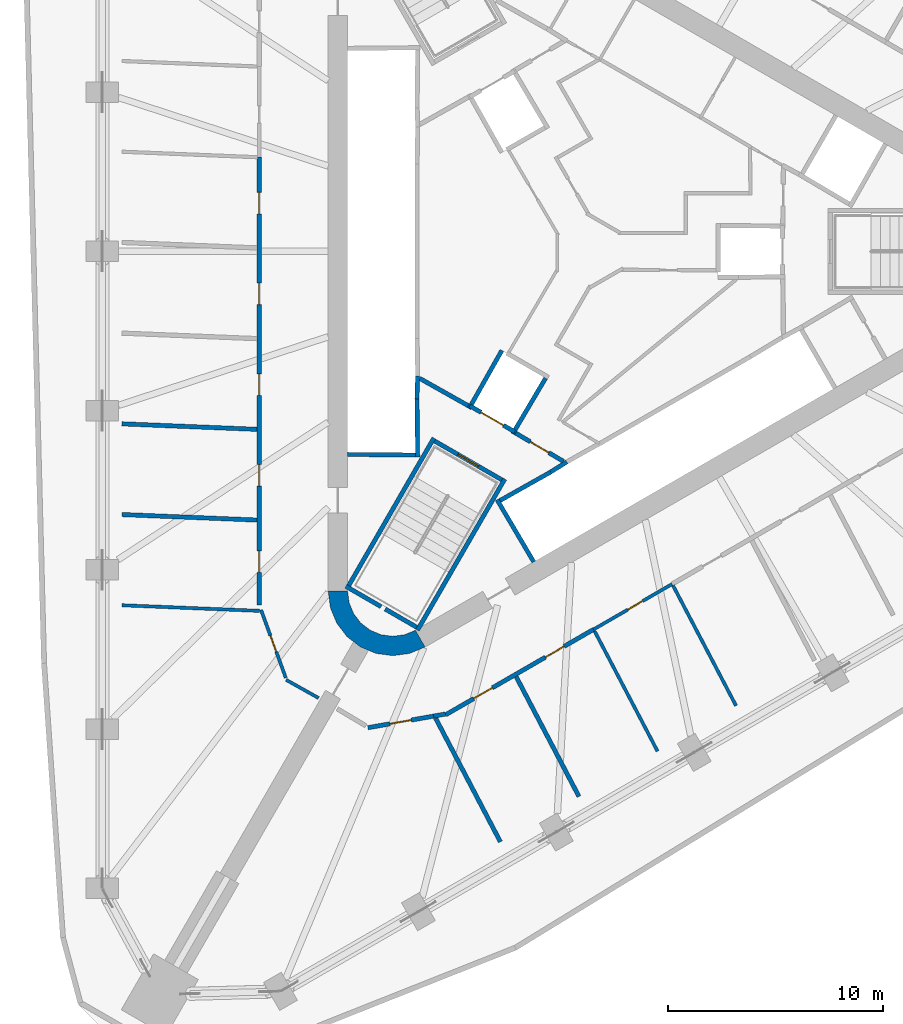
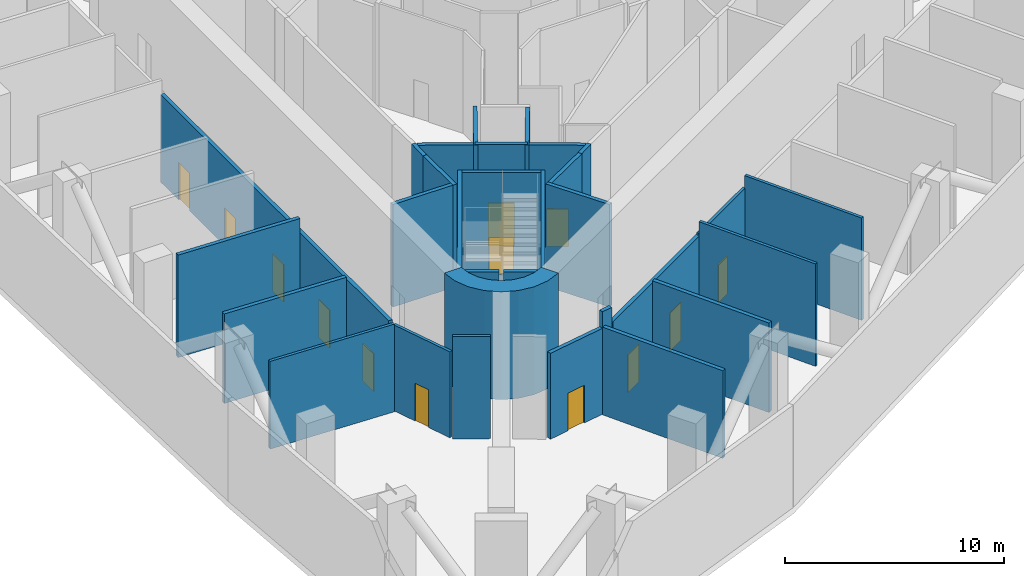
# One storey, part 3 of 13: 31 walls, 13 doors, 13 openings.
"""IFC4 building model written with IfcOpenShell, lengths in metres."""

from ifc_helpers import new_model, si_unit, direction, frame, frame_2d, origin, place, context, subcontext, project, spatial, polyline, rectangle, outline, extrude, material, layer, layer_set, type_object, element, fill, save


model = new_model("IFC4")

# Units and contexts
model_context = context("Model", 3, precision=1e-05, world=origin(), true_north=direction((0.0, 1.0)))
body_context = subcontext(model_context, "Body", "Model", "MODEL_VIEW")
ifc_project = project(units=[si_unit("LENGTHUNIT", "METRE"), si_unit("AREAUNIT", "SQUARE_METRE"), si_unit("VOLUMEUNIT", "CUBIC_METRE"), si_unit("PLANEANGLEUNIT", "RADIAN"), si_unit("MASSUNIT", "GRAM", prefix="KILO")], contexts=[model_context])

# Site, building, storey
site_placement = place(None, origin())
site = spatial("IfcSite", under=ifc_project, at=site_placement, CompositionType="ELEMENT")
building_placement = place(site_placement, origin())
building = spatial("IfcBuilding", under=site, at=building_placement, Name="Tanit Gate Tower", CompositionType="ELEMENT")
storey_placement = place(building_placement, frame((0.0, 0.0, 163.199951171875)))
storey = spatial("IfcBuildingStorey", under=building, at=storey_placement, Name="L35", CompositionType="ELEMENT", Elevation=163.199951171875)

# Walls
ifc_material_1 = material(Name="Concrete C60/75", Category="concrete")
ifc_layer_1 = layer(ifc_material_1, 0.89990234375)
ifc_layer_set_1 = layer_set([ifc_layer_1], Name="CORE WALL 900 C60/75")
wall_type_1 = type_object("IfcWallType", Name="CORE WALL 900 C60/75", PredefinedType="SHEAR", material=ifc_layer_set_1)
wall_1_placement = place(storey_placement, origin())
element("IfcWall", 1, at=wall_1_placement, inside=storey, type_object=wall_type_1, Name="CORE WALL CORNER", PredefinedType="SHEAR", context=body_context, shape_type="SweptSolid", body=[
    extrude(outline(polyline([(-12.10009765625, -15.76171875), (-11.997802734375, -16.5380859375), (-11.697998046875, -17.26171875), (-11.22119140625, -17.883056640625), (-10.60009765625, -18.359619140625), (-9.87646484375, -18.659423828125), (-9.10009765625, -18.76171875), (-8.323486328125, -18.659423828125), (-7.60009765625, -18.359619140625), (-8.050048828125, -17.580322265625), (-8.556396484375, -17.7900390625), (-9.10009765625, -17.86181640625), (-9.6435546875, -17.7900390625), (-10.14990234375, -17.580322265625), (-10.5849609375, -17.24658203125), (-10.918701171875, -16.811767578125), (-11.12841796875, -16.30517578125), (-11.199951171875, -15.76171875), (-12.10009765625, -15.76171875)])), origin(), (0.0, 0.0, 1.0), 6.0),
])
ifc_material_2 = material(Name="Fire-rated gypsum board partition")
ifc_layer_2 = layer(ifc_material_2, 0.199951171875)
ifc_layer_set_2 = layer_set([ifc_layer_2], Name="INT-WALL-COMPARTMENT")
wall_type_2 = type_object("IfcWallType", Name="INT-WALL-COMPARTMENT", PredefinedType="PARTITIONING", material=ifc_layer_set_2)
wall_2_placement = place(storey_placement, frame((-7.84912109375, -5.893798828125, 0.0), z_axis=(0.0, 0.0, 1.0), x_axis=(0.871340486379, -0.490678873396, 0.0)))
element("IfcWall", 2, at=wall_2_placement, inside=storey, type_object=wall_type_2, Name="Wall Compartment W070", PredefinedType="PARTITIONING", context=body_context, shape_type="SweptSolid", body=[
    extrude(rectangle(XDim=2.580810546875, YDim=0.199951171875, at=frame_2d((1.29052734375, 0.0))), origin(), (0.0, 0.0, 1.0), 5.699951171875),
])

# Wall, opening, door
wall_3_placement = place(storey_placement, frame((-3.400634765625, -8.43017578125, 0.0), z_axis=(0.0, 0.0, 1.0), x_axis=(0.860598681535, -0.509283721849, 0.0)))
wall_3 = element("IfcWall", 3, at=wall_3_placement, inside=storey, type_object=wall_type_2, Name="Wall Compartment W071", PredefinedType="PARTITIONING", context=body_context, shape_type="SweptSolid", body=[
    extrude(rectangle(XDim=2.5810546875, YDim=0.199951171875, at=frame_2d((1.29052734375, 0.0))), origin(), (0.0, 0.0, 1.0), 5.699951171875),
])
opening_1_placement = place(wall_3_placement, frame((0.79052734375, 0.0, 0.0)))
opening_1 = element("IfcOpeningElement", 4, at=opening_1_placement, cuts=wall_3, Name="Opening F10-35-08", PredefinedType="OPENING", context=body_context, shape_type="SweptSolid", body=[
    extrude(rectangle(XDim=1.0, YDim=2.10009765625, at=frame_2d((0.5, 1.050048828125))), frame((0.0, 0.10986328125, 0.0), z_axis=(0.0, -1.0, 0.0), x_axis=(1.0, 0.0, 0.0)), (0.0, 0.0, 1.0), 0.219970703125),
])
ifc_material_3 = material(Name="Fire-rated steel door leaf", Category="steel")
door_type_1 = type_object("IfcDoorType", Name="INT-DOOR-FIRE-1000", OperationType="NOTDEFINED", PredefinedType="USERDEFINED", material=ifc_material_3)
door_1_placement = place(opening_1_placement, origin())
door_1 = element("IfcDoor", 5, at=door_1_placement, inside=storey, type_object=door_type_1, Name="Door F10-35-08", ObjectType="FIRE DOOR", OperationType="SINGLE_SWING_RIGHT", OverallHeight=2.10009765625, OverallWidth=1.0, PredefinedType="USERDEFINED", context=body_context, shape_type="SweptSolid", body=[
    extrude(rectangle(XDim=1.0, YDim=2.10009765625, at=frame_2d((0.5, 1.050048828125))), frame((0.0, 0.02490234375, 0.0), z_axis=(0.0, -1.0, 0.0), x_axis=(1.0, 0.0, 0.0)), (0.0, 0.0, 1.0), 0.050048828125),
])
fill(opening_1, door_1)

# Wall, openings, doors
wall_4_placement = place(storey_placement, frame((-15.300048828125, 4.3759765625, 0.0), z_axis=(0.0, 0.0, 1.0), x_axis=(0.0, -1.0, 0.0)))
wall_4 = element("IfcWall", 6, at=wall_4_placement, inside=storey, type_object=wall_type_2, Name="Wall Compartment W097", PredefinedType="PARTITIONING", context=body_context, shape_type="SweptSolid", body=[
    extrude(rectangle(XDim=20.78125, YDim=0.199951171875, at=frame_2d((10.390625, 0.0))), origin(), (0.0, 0.0, 1.0), 4.880126953125),
])
opening_2_placement = place(wall_4_placement, frame((1.63623046875, 0.0, 0.0)))
opening_2 = element("IfcOpeningElement", 7, at=opening_2_placement, cuts=wall_4, Name="Opening F10-35-23", PredefinedType="OPENING", context=body_context, shape_type="SweptSolid", body=[
    extrude(rectangle(XDim=1.0, YDim=2.10009765625, at=frame_2d((0.5, 1.050048828125))), frame((0.0, 0.10986328125, 0.0), z_axis=(0.0, -1.0, 0.0), x_axis=(1.0, 0.0, 0.0)), (0.0, 0.0, 1.0), 0.219970703125),
])
opening_3_placement = place(wall_4_placement, frame((5.84619140625, 0.0, 0.0)))
opening_3 = element("IfcOpeningElement", 8, at=opening_3_placement, cuts=wall_4, Name="Opening F10-35-24", PredefinedType="OPENING", context=body_context, shape_type="SweptSolid", body=[
    extrude(rectangle(XDim=1.0, YDim=2.10009765625, at=frame_2d((0.5, 1.050048828125))), frame((0.0, 0.10986328125, 0.0), z_axis=(0.0, -1.0, 0.0), x_axis=(1.0, 0.0, 0.0)), (0.0, 0.0, 1.0), 0.219970703125),
])
opening_4_placement = place(wall_4_placement, frame((10.05615234375, 0.0, 0.0)))
opening_4 = element("IfcOpeningElement", 9, at=opening_4_placement, cuts=wall_4, Name="Opening F10-35-25", PredefinedType="OPENING", context=body_context, shape_type="SweptSolid", body=[
    extrude(rectangle(XDim=1.0, YDim=2.10009765625, at=frame_2d((0.5, 1.050048828125))), frame((0.0, 0.10986328125, 0.0), z_axis=(0.0, -1.0, 0.0), x_axis=(1.0, 0.0, 0.0)), (0.0, 0.0, 1.0), 0.219970703125),
])
opening_5_placement = place(wall_4_placement, frame((14.26611328125, 0.0, 0.0)))
opening_5 = element("IfcOpeningElement", 10, at=opening_5_placement, cuts=wall_4, Name="Opening F10-35-26", PredefinedType="OPENING", context=body_context, shape_type="SweptSolid", body=[
    extrude(rectangle(XDim=1.0, YDim=2.10009765625, at=frame_2d((0.5, 1.050048828125))), frame((0.0, 0.10986328125, 0.0), z_axis=(0.0, -1.0, 0.0), x_axis=(1.0, 0.0, 0.0)), (0.0, 0.0, 1.0), 0.219970703125),
])
opening_6_placement = place(wall_4_placement, frame((18.276123046875, 0.0, 0.0)))
opening_6 = element("IfcOpeningElement", 11, at=opening_6_placement, cuts=wall_4, Name="Opening F10-35-27", PredefinedType="OPENING", context=body_context, shape_type="SweptSolid", body=[
    extrude(rectangle(XDim=1.0, YDim=2.10009765625, at=frame_2d((0.5, 1.050048828125))), frame((0.0, 0.10986328125, 0.0), z_axis=(0.0, -1.0, 0.0), x_axis=(1.0, 0.0, 0.0)), (0.0, 0.0, 1.0), 0.219970703125),
])
door_2_placement = place(opening_2_placement, origin())
door_2 = element("IfcDoor", 12, at=door_2_placement, inside=storey, type_object=door_type_1, Name="Door F10-35-23", ObjectType="FIRE DOOR", OperationType="SINGLE_SWING_RIGHT", OverallHeight=2.10009765625, OverallWidth=1.0, PredefinedType="USERDEFINED", context=body_context, shape_type="SweptSolid", body=[
    extrude(rectangle(XDim=1.0, YDim=2.10009765625, at=frame_2d((0.5, 1.050048828125))), frame((0.0, 0.02490234375, 0.0), z_axis=(0.0, -1.0, 0.0), x_axis=(1.0, 0.0, 0.0)), (0.0, 0.0, 1.0), 0.050048828125),
])
fill(opening_2, door_2)
door_3_placement = place(opening_3_placement, origin())
door_3 = element("IfcDoor", 13, at=door_3_placement, inside=storey, type_object=door_type_1, Name="Door F10-35-24", ObjectType="FIRE DOOR", OperationType="SINGLE_SWING_LEFT", OverallHeight=2.10009765625, OverallWidth=1.0, PredefinedType="USERDEFINED", context=body_context, shape_type="SweptSolid", body=[
    extrude(rectangle(XDim=1.0, YDim=2.10009765625, at=frame_2d((0.5, 1.050048828125))), frame((0.0, 0.02490234375, 0.0), z_axis=(0.0, -1.0, 0.0), x_axis=(1.0, 0.0, 0.0)), (0.0, 0.0, 1.0), 0.050048828125),
])
fill(opening_3, door_3)
door_4_placement = place(opening_4_placement, origin())
door_4 = element("IfcDoor", 14, at=door_4_placement, inside=storey, type_object=door_type_1, Name="Door F10-35-25", ObjectType="FIRE DOOR", OperationType="SINGLE_SWING_LEFT", OverallHeight=2.10009765625, OverallWidth=1.0, PredefinedType="USERDEFINED", context=body_context, shape_type="SweptSolid", body=[
    extrude(rectangle(XDim=1.0, YDim=2.10009765625, at=frame_2d((0.5, 1.050048828125))), frame((0.0, 0.02490234375, 0.0), z_axis=(0.0, -1.0, 0.0), x_axis=(1.0, 0.0, 0.0)), (0.0, 0.0, 1.0), 0.050048828125),
])
fill(opening_4, door_4)
door_5_placement = place(opening_5_placement, origin())
door_5 = element("IfcDoor", 15, at=door_5_placement, inside=storey, type_object=door_type_1, Name="Door F10-35-26", ObjectType="FIRE DOOR", OperationType="SINGLE_SWING_LEFT", OverallHeight=2.10009765625, OverallWidth=1.0, PredefinedType="USERDEFINED", context=body_context, shape_type="SweptSolid", body=[
    extrude(rectangle(XDim=1.0, YDim=2.10009765625, at=frame_2d((0.5, 1.050048828125))), frame((0.0, 0.02490234375, 0.0), z_axis=(0.0, -1.0, 0.0), x_axis=(1.0, 0.0, 0.0)), (0.0, 0.0, 1.0), 0.050048828125),
])
fill(opening_5, door_5)
door_6_placement = place(opening_6_placement, origin())
door_6 = element("IfcDoor", 16, at=door_6_placement, inside=storey, type_object=door_type_1, Name="Door F10-35-27", ObjectType="FIRE DOOR", OperationType="SINGLE_SWING_LEFT", OverallHeight=2.10009765625, OverallWidth=1.0, PredefinedType="USERDEFINED", context=body_context, shape_type="SweptSolid", body=[
    extrude(rectangle(XDim=1.0, YDim=2.10009765625, at=frame_2d((0.5, 1.050048828125))), frame((0.0, 0.02490234375, 0.0), z_axis=(0.0, -1.0, 0.0), x_axis=(1.0, 0.0, 0.0)), (0.0, 0.0, 1.0), 0.050048828125),
])
fill(opening_6, door_6)

# Walls
wall_5_placement = place(storey_placement, frame((-21.677490234375, -8.00146484375, 0.0), z_axis=(0.0, 0.0, 1.0), x_axis=(0.999168860774, -0.04076257671, 0.0)))
element("IfcWall", 17, at=wall_5_placement, inside=storey, type_object=wall_type_2, Name="Wall Compartment W110", PredefinedType="PARTITIONING", context=body_context, shape_type="SweptSolid", body=[
    extrude(rectangle(XDim=6.28271484375, YDim=0.199951171875, at=frame_2d((3.141357421875, 0.0))), origin(), (0.0, 0.0, 1.0), 5.699951171875),
])
wall_6_placement = place(storey_placement, frame((-15.39990234375, -12.467529296875, 0.0), z_axis=(0.0, 0.0, 1.0), x_axis=(-0.999168860774, 0.04076257671, 0.0)))
element("IfcWall", 18, at=wall_6_placement, inside=storey, type_object=wall_type_2, Name="Wall Compartment W111", PredefinedType="PARTITIONING", context=body_context, shape_type="SweptSolid", body=[
    extrude(rectangle(XDim=6.28271484375, YDim=0.199951171875, at=frame_2d((3.141357421875, 0.0))), origin(), (0.0, 0.0, 1.0), 4.97998046875),
])

# Wall, opening, door
wall_7_placement = place(storey_placement, frame((-10.25390625, -22.104736328125, 0.0), z_axis=(0.0, 0.0, 1.0), x_axis=(0.984804988172, 0.173663857128, 0.0)))
wall_7 = element("IfcWall", 19, at=wall_7_placement, inside=storey, type_object=wall_type_2, Name="Wall Compartment W128", PredefinedType="PARTITIONING", context=body_context, shape_type="SweptSolid", body=[
    extrude(rectangle(XDim=3.095703125, YDim=0.199951171875, at=frame_2d((1.5478515625, 0.0))), origin(), (0.0, 0.0, 1.0), 4.780029296875),
])
opening_7_placement = place(wall_7_placement, frame((1.037109375, 0.0, 0.0)))
opening_7 = element("IfcOpeningElement", 20, at=opening_7_placement, cuts=wall_7, Name="Opening F10-35-35", PredefinedType="OPENING", context=body_context, shape_type="SweptSolid", body=[
    extrude(rectangle(XDim=1.0, YDim=2.10009765625, at=frame_2d((0.5, 1.050048828125))), frame((0.0, 0.10986328125, 0.0), z_axis=(0.0, -1.0, 0.0), x_axis=(1.0, 0.0, 0.0)), (0.0, 0.0, 1.0), 0.219970703125),
])
door_7_placement = place(opening_7_placement, origin())
door_7 = element("IfcDoor", 21, at=door_7_placement, inside=storey, type_object=door_type_1, Name="Door F10-35-35", ObjectType="FIRE DOOR", OperationType="SINGLE_SWING_LEFT", OverallHeight=2.10009765625, OverallWidth=1.0, PredefinedType="USERDEFINED", context=body_context, shape_type="SweptSolid", body=[
    extrude(rectangle(XDim=1.0, YDim=2.10009765625, at=frame_2d((0.5, 1.050048828125))), frame((0.0, 0.02490234375, 0.0), z_axis=(0.0, -1.0, 0.0), x_axis=(1.0, 0.0, 0.0)), (0.0, 0.0, 1.0), 0.050048828125),
])
fill(opening_7, door_7)

# Wall
wall_8_placement = place(storey_placement, frame((-7.205322265625, -21.567138671875, 0.0), z_axis=(0.0, 0.0, 1.0), x_axis=(0.984801171005, 0.17368550195, 0.0)))
element("IfcWall", 22, at=wall_8_placement, inside=storey, type_object=wall_type_2, Name="Wall Compartment W131", PredefinedType="PARTITIONING", context=body_context, shape_type="SweptSolid", body=[
    extrude(rectangle(XDim=0.55810546875, YDim=0.199951171875, at=frame_2d((0.279052734375, 0.0))), origin(), (0.0, 0.0, 1.0), 5.699951171875),
])

# Wall, openings, doors
wall_9_placement = place(storey_placement, frame((-6.64404296875, -21.5029296875, 0.0), z_axis=(0.0, 0.0, 1.0), x_axis=(0.866024386084, 0.500001762705, 0.0)))
wall_9 = element("IfcWall", 23, at=wall_9_placement, inside=storey, type_object=wall_type_2, Name="Wall Compartment W130", PredefinedType="PARTITIONING", context=body_context, shape_type="SweptSolid", body=[
    extrude(rectangle(XDim=7.91943359375, YDim=0.199951171875, at=frame_2d((3.959716796875, 0.0))), origin(), (0.0, 0.0, 1.0), 4.880126953125),
])
opening_8_placement = place(wall_9_placement, frame((1.5, 0.0, 0.0)))
opening_8 = element("IfcOpeningElement", 24, at=opening_8_placement, cuts=wall_9, Name="Opening F10-35-36", PredefinedType="OPENING", context=body_context, shape_type="SweptSolid", body=[
    extrude(rectangle(XDim=1.0, YDim=2.10009765625, at=frame_2d((0.5, 1.050048828125))), frame((0.0, 0.10986328125, 0.0), z_axis=(0.0, -1.0, 0.0), x_axis=(1.0, 0.0, 0.0)), (0.0, 0.0, 1.0), 0.219970703125),
])
opening_9_placement = place(wall_9_placement, frame((5.345703125, 0.0, 0.0)))
opening_9 = element("IfcOpeningElement", 25, at=opening_9_placement, cuts=wall_9, Name="Opening F10-35-37", PredefinedType="OPENING", context=body_context, shape_type="SweptSolid", body=[
    extrude(rectangle(XDim=1.0, YDim=2.10009765625, at=frame_2d((0.5, 1.050048828125))), frame((0.0, 0.10986328125, 0.0), z_axis=(0.0, -1.0, 0.0), x_axis=(1.0, 0.0, 0.0)), (0.0, 0.0, 1.0), 0.219970703125),
])
door_8_placement = place(opening_8_placement, origin())
door_8 = element("IfcDoor", 26, at=door_8_placement, inside=storey, type_object=door_type_1, Name="Door F10-35-36", ObjectType="FIRE DOOR", OperationType="SINGLE_SWING_RIGHT", OverallHeight=2.10009765625, OverallWidth=1.0, PredefinedType="USERDEFINED", context=body_context, shape_type="SweptSolid", body=[
    extrude(rectangle(XDim=1.0, YDim=2.10009765625, at=frame_2d((0.5, 1.050048828125))), frame((0.0, 0.02490234375, 0.0), z_axis=(0.0, -1.0, 0.0), x_axis=(1.0, 0.0, 0.0)), (0.0, 0.0, 1.0), 0.050048828125),
])
fill(opening_8, door_8)
door_9_placement = place(opening_9_placement, origin())
door_9 = element("IfcDoor", 27, at=door_9_placement, inside=storey, type_object=door_type_1, Name="Door F10-35-37", ObjectType="FIRE DOOR", OperationType="SINGLE_SWING_RIGHT", OverallHeight=2.10009765625, OverallWidth=1.0, PredefinedType="USERDEFINED", context=body_context, shape_type="SweptSolid", body=[
    extrude(rectangle(XDim=1.0, YDim=2.10009765625, at=frame_2d((0.5, 1.050048828125))), frame((0.0, 0.02490234375, 0.0), z_axis=(0.0, -1.0, 0.0), x_axis=(1.0, 0.0, 0.0)), (0.0, 0.0, 1.0), 0.050048828125),
])
fill(opening_9, door_9)

# Walls
wall_10_placement = place(storey_placement, frame((-4.107421875, -27.40234375, 0.0), z_axis=(0.0, 0.0, 1.0), x_axis=(-0.464120846415, 0.885771889328, 0.0)))
element("IfcWall", 28, at=wall_10_placement, inside=storey, type_object=wall_type_2, Name="Wall Compartment W141", PredefinedType="PARTITIONING", context=body_context, shape_type="SweptSolid", body=[
    extrude(rectangle(XDim=6.490234375, YDim=0.199951171875, at=frame_2d((3.2451171875, 0.0))), origin(), (0.0, 0.0, 1.0), 4.880126953125),
])
wall_11_placement = place(storey_placement, frame((-0.46142578125, -25.29736328125, 0.0), z_axis=(0.0, 0.0, 1.0), x_axis=(-0.464291570552, 0.885682413461, 0.0)))
element("IfcWall", 29, at=wall_11_placement, inside=storey, type_object=wall_type_2, Name="Wall Compartment W142", PredefinedType="PARTITIONING", context=body_context, shape_type="SweptSolid", body=[
    extrude(rectangle(XDim=6.28271484375, YDim=0.199951171875, at=frame_2d((3.141357421875, 0.0))), origin(), (0.0, 0.0, 1.0), 4.97998046875),
])
ifc_material_4 = material(Name="Fire-rated gypsum board partition")
ifc_layer_3 = layer(ifc_material_4, 0.14990234375)
ifc_layer_set_3 = layer_set([ifc_layer_3], Name="INT-WALL-RISER")
wall_type_3 = type_object("IfcWallType", Name="INT-WALL-RISER", PredefinedType="PLUMBINGWALL", material=ifc_layer_set_3)
wall_12_placement = place(storey_placement, frame((-14.05322265625, -19.8837890625, 0.0), z_axis=(0.0, 0.0, 1.0), x_axis=(0.872734691985, -0.48819479453, 0.0)))
element("IfcWall", 30, at=wall_12_placement, inside=storey, type_object=wall_type_3, Name="Wall Riser W102", PredefinedType="PLUMBINGWALL", context=body_context, shape_type="SweptSolid", body=[
    extrude(rectangle(XDim=1.728759765625, YDim=0.14990234375, at=frame_2d((0.8642578125, 0.0))), origin(), (0.0, 0.0, 1.0), 5.699951171875),
])

# Wall, opening, door
wall_13_placement = place(storey_placement, frame((-15.215087890625, -16.638427734375, 0.0), z_axis=(0.0, 0.0, 1.0), x_axis=(0.342035327216, -0.939687094163, 0.0)))
wall_13 = element("IfcWall", 31, at=wall_13_placement, inside=storey, type_object=wall_type_3, Name="Wall Riser W103", PredefinedType="PLUMBINGWALL", context=body_context, shape_type="SweptSolid", body=[
    extrude(rectangle(XDim=3.353271484375, YDim=0.14990234375, at=frame_2d((1.6767578125, 0.0))), origin(), (0.0, 0.0, 1.0), 4.780029296875),
])
opening_10_placement = place(wall_13_placement, frame((1.270263671875, 0.0, 0.0)))
opening_10 = element("IfcOpeningElement", 32, at=opening_10_placement, cuts=wall_13, Name="Opening R08-35-28", PredefinedType="OPENING", context=body_context, shape_type="SweptSolid", body=[
    extrude(rectangle(XDim=0.800048828125, YDim=2.10009765625, at=frame_2d((0.39990234375, 1.050048828125))), frame((0.0, 0.0849609375, 0.0), z_axis=(0.0, -1.0, 0.0), x_axis=(1.0, 0.0, 0.0)), (0.0, 0.0, 1.0), 0.169921875),
])
ifc_material_5 = material(Name="Timber door leaf", Category="wood")
door_type_2 = type_object("IfcDoorType", Name="INT-DOOR-RISER-800", OperationType="NOTDEFINED", PredefinedType="USERDEFINED", material=ifc_material_5)
door_10_placement = place(opening_10_placement, origin())
door_10 = element("IfcDoor", 33, at=door_10_placement, inside=storey, type_object=door_type_2, Name="Door R08-35-28", ObjectType="FIRE DOOR", OperationType="SINGLE_SWING_RIGHT", OverallHeight=2.10009765625, OverallWidth=0.800048828125, PredefinedType="USERDEFINED", context=body_context, shape_type="SweptSolid", body=[
    extrude(rectangle(XDim=0.800048828125, YDim=2.10009765625, at=frame_2d((0.39990234375, 1.050048828125))), frame((0.0, 0.02490234375, 0.0), z_axis=(0.0, -1.0, 0.0), x_axis=(1.0, 0.0, 0.0)), (0.0, 0.0, 1.0), 0.050048828125),
])
fill(opening_10, door_10)

# Wall
wall_14_placement = place(storey_placement, frame((-15.279052734375, -16.682373046875, 0.0), z_axis=(0.0, 0.0, 1.0), x_axis=(-0.999169162386, 0.040755182944, 0.0)))
element("IfcWall", 34, at=wall_14_placement, inside=storey, type_object=wall_type_3, Name="Wall Riser W112", PredefinedType="PLUMBINGWALL", context=body_context, shape_type="SweptSolid", body=[
    extrude(rectangle(XDim=6.40380859375, YDim=0.14990234375, at=frame_2d((3.201904296875, 0.0))), origin(), (0.0, 0.0, 1.0), 4.880126953125),
])

# Wall, opening, door
wall_15_placement = place(storey_placement, frame((0.21435546875, -17.543212890625, 0.0), z_axis=(0.0, 0.0, 1.0), x_axis=(0.866029143232, 0.499993523031, 0.0)))
wall_15 = element("IfcWall", 35, at=wall_15_placement, inside=storey, type_object=wall_type_3, Name="Wall Riser W133", PredefinedType="PLUMBINGWALL", context=body_context, shape_type="SweptSolid", body=[
    extrude(rectangle(XDim=4.2099609375, YDim=0.14990234375, at=frame_2d((2.10498046875, 0.0))), origin(), (0.0, 0.0, 1.0), 4.97998046875),
])
opening_11_placement = place(wall_15_placement, frame((1.836181640625, 0.0, 0.0)))
opening_11 = element("IfcOpeningElement", 36, at=opening_11_placement, cuts=wall_15, Name="Opening R08-35-38", PredefinedType="OPENING", context=body_context, shape_type="SweptSolid", body=[
    extrude(rectangle(XDim=0.800048828125, YDim=2.10009765625, at=frame_2d((0.39990234375, 1.050048828125))), frame((0.0, 0.0849609375, 0.0), z_axis=(0.0, -1.0, 0.0), x_axis=(1.0, 0.0, 0.0)), (0.0, 0.0, 1.0), 0.169921875),
])
door_11_placement = place(opening_11_placement, origin())
door_11 = element("IfcDoor", 37, at=door_11_placement, inside=storey, type_object=door_type_2, Name="Door R08-35-38", ObjectType="FIRE DOOR", OperationType="SINGLE_SWING_LEFT", OverallHeight=2.10009765625, OverallWidth=0.800048828125, PredefinedType="USERDEFINED", context=body_context, shape_type="SweptSolid", body=[
    extrude(rectangle(XDim=0.800048828125, YDim=2.10009765625, at=frame_2d((0.39990234375, 1.050048828125))), frame((0.0, 0.02490234375, 0.0), z_axis=(0.0, -1.0, 0.0), x_axis=(1.0, 0.0, 0.0)), (0.0, 0.0, 1.0), 0.050048828125),
])
fill(opening_11, door_11)

# Walls
wall_16_placement = place(storey_placement, frame((3.184326171875, -23.1923828125, 0.0), z_axis=(0.0, 0.0, 1.0), x_axis=(-0.464291570552, 0.885682413461, 0.0)))
element("IfcWall", 38, at=wall_16_placement, inside=storey, type_object=wall_type_3, Name="Wall Riser W143", PredefinedType="PLUMBINGWALL", context=body_context, shape_type="SweptSolid", body=[
    extrude(rectangle(XDim=6.28271484375, YDim=0.14990234375, at=frame_2d((3.141357421875, 0.0))), origin(), (0.0, 0.0, 1.0), 5.699951171875),
])
wall_17_placement = place(storey_placement, frame((3.90185546875, -15.500732421875, 0.0), z_axis=(0.0, 0.0, 1.0), x_axis=(0.464270197844, -0.885693617113, 0.0)))
element("IfcWall", 39, at=wall_17_placement, inside=storey, type_object=wall_type_3, Name="Wall Riser W144", PredefinedType="PLUMBINGWALL", context=body_context, shape_type="SweptSolid", body=[
    extrude(rectangle(XDim=6.3076171875, YDim=0.14990234375, at=frame_2d((3.15380859375, 0.0))), origin(), (0.0, 0.0, 1.0), 5.699951171875),
])
ifc_material_6 = material(Name="Gypsum shaft wall system")
ifc_layer_4 = layer(ifc_material_6, 0.199951171875)
ifc_layer_set_4 = layer_set([ifc_layer_4], Name="INT-WALL-SHAFT")
wall_type_4 = type_object("IfcWallType", Name="INT-WALL-SHAFT", PredefinedType="PLUMBINGWALL", material=ifc_layer_set_4)
wall_18_placement = place(storey_placement, frame((-7.949951171875, -5.7724609375, 0.0), z_axis=(0.0, 0.0, 1.0), x_axis=(-0.030803413295, -0.999525462272, 0.0)))
element("IfcWall", 40, at=wall_18_placement, inside=storey, type_object=wall_type_4, Name="Wall Shaft W008", PredefinedType="PLUMBINGWALL", context=body_context, shape_type="SweptSolid", body=[
    extrude(rectangle(XDim=1.077880859375, YDim=0.199951171875, at=frame_2d((0.5390625, 0.0))), origin(), (0.0, 0.0, 1.0), 5.699951171875),
])
wall_19_placement = place(storey_placement, frame((-7.97900390625, -6.85009765625, 0.0), z_axis=(0.0, 0.0, 1.0), x_axis=(0.011121475088, -0.999938154483, 0.0)))
element("IfcWall", 41, at=wall_19_placement, inside=storey, type_object=wall_type_4, Name="Wall Shaft W010", PredefinedType="PLUMBINGWALL", context=body_context, shape_type="SweptSolid", body=[
    extrude(rectangle(XDim=2.7001953125, YDim=0.199951171875, at=frame_2d((1.35009765625, 0.0))), origin(), (0.0, 0.0, 1.0), 5.699951171875),
])
wall_20_placement = place(storey_placement, frame((-8.050048828125, -9.448974609375, 0.0), z_axis=(0.0, 0.0, 1.0), x_axis=(-0.999957467379, 0.009222983926, 0.0)))
element("IfcWall", 42, at=wall_20_placement, inside=storey, type_object=wall_type_4, Name="Wall Shaft W011", PredefinedType="PLUMBINGWALL", context=body_context, shape_type="SweptSolid", body=[
    extrude(rectangle(XDim=3.150146484375, YDim=0.199951171875, at=frame_2d((1.5751953125, 0.0))), origin(), (0.0, 0.0, 1.0), 5.699951171875),
])
wall_21_placement = place(storey_placement, frame((-2.557861328125, -14.409423828125, 0.0), z_axis=(0.0, 0.0, 1.0), x_axis=(-0.507997497166, 0.861358544901, 0.0)))
element("IfcWall", 43, at=wall_21_placement, inside=storey, type_object=wall_type_4, Name="Wall Shaft W019", PredefinedType="PLUMBINGWALL", context=body_context, shape_type="SweptSolid", body=[
    extrude(rectangle(XDim=3.350341796875, YDim=0.199951171875, at=frame_2d((1.67529296875, 0.0))), origin(), (0.0, 0.0, 1.0), 5.699951171875),
])
wall_22_placement = place(storey_placement, frame((-1.7685546875, -10.23681640625, 0.0), z_axis=(0.0, 0.0, 1.0), x_axis=(-0.871534483978, -0.490334215854, 0.0)))
element("IfcWall", 44, at=wall_22_placement, inside=storey, type_object=wall_type_4, Name="Wall Shaft W020", PredefinedType="PLUMBINGWALL", context=body_context, shape_type="SweptSolid", body=[
    extrude(rectangle(XDim=2.7001953125, YDim=0.199951171875, at=frame_2d((1.35009765625, 0.0))), origin(), (0.0, 0.0, 1.0), 5.699951171875),
])
wall_23_placement = place(storey_placement, frame((-1.02392578125, -9.77099609375, 0.0), z_axis=(0.0, 0.0, 1.0), x_axis=(-0.850348075135, -0.526220629693, 0.0)))
element("IfcWall", 45, at=wall_23_placement, inside=storey, type_object=wall_type_4, Name="Wall Shaft W021", PredefinedType="PLUMBINGWALL", context=body_context, shape_type="SweptSolid", body=[
    extrude(rectangle(XDim=0.878173828125, YDim=0.199951171875, at=frame_2d((0.43896484375, 0.0))), origin(), (0.0, 0.0, 1.0), 5.699951171875),
])

# Wall, opening, door
wall_24_placement = place(storey_placement, frame((-3.44580078125, -8.3681640625, 0.0), z_axis=(0.0, 0.0, 1.0), x_axis=(-0.866024647952, 0.500001309137, 0.0)))
wall_24 = element("IfcWall", 46, at=wall_24_placement, inside=storey, type_object=wall_type_4, Name="Wall Shaft W049", PredefinedType="PLUMBINGWALL", context=body_context, shape_type="SweptSolid", body=[
    extrude(rectangle(XDim=2.39990234375, YDim=0.199951171875, at=frame_2d((1.199951171875, 0.0))), origin(), (0.0, 0.0, 1.0), 5.699951171875),
])
opening_12_placement = place(wall_24_placement, frame((0.60009765625, 0.0, 0.0)))
opening_12 = element("IfcOpeningElement", 47, at=opening_12_placement, cuts=wall_24, Name="Opening LDFL3-L35", PredefinedType="OPENING", context=body_context, shape_type="SweptSolid", body=[
    extrude(rectangle(XDim=1.199951171875, YDim=2.39990234375, at=frame_2d((0.60009765625, 1.199951171875))), frame((0.0, 0.10986328125, 0.0), z_axis=(0.0, -1.0, 0.0), x_axis=(1.0, 0.0, 0.0)), (0.0, 0.0, 1.0), 0.219970703125),
])
ifc_material_7 = material(Name="Stainless steel sliding door leaf", Category="steel")
door_type_3 = type_object("IfcDoorType", Name="INT-DOOR-LANDING-1200", OperationType="NOTDEFINED", PredefinedType="USERDEFINED", material=ifc_material_7)
door_12_placement = place(opening_12_placement, origin())
door_12 = element("IfcDoor", 48, at=door_12_placement, inside=storey, type_object=door_type_3, Name="Door LDFL3-L35", ObjectType="LANDING DOOR", OperationType="SLIDING_TO_LEFT", OverallHeight=2.39990234375, OverallWidth=1.199951171875, PredefinedType="USERDEFINED", context=body_context, shape_type="SweptSolid", body=[
    extrude(rectangle(XDim=1.199951171875, YDim=2.39990234375, at=frame_2d((0.60009765625, 1.199951171875))), frame((0.0, 0.02490234375, 0.0), z_axis=(0.0, -1.0, 0.0), x_axis=(1.0, 0.0, 0.0)), (0.0, 0.0, 1.0), 0.050048828125),
])
fill(opening_12, door_12)

# Walls
wall_25_placement = place(storey_placement, frame((-5.5625, -7.29638671875, 0.0), z_axis=(0.0, 0.0, 1.0), x_axis=(0.491322718731, 0.870977603649, 0.0)))
element("IfcWall", 49, at=wall_25_placement, inside=storey, type_object=wall_type_4, Name="Wall Shaft W050", PredefinedType="PLUMBINGWALL", context=body_context, shape_type="SweptSolid", body=[
    extrude(rectangle(XDim=3.10009765625, YDim=0.199951171875, at=frame_2d((1.550048828125, 0.0))), origin(), (0.0, 0.0, 1.0), 5.699951171875),
])
wall_26_placement = place(storey_placement, frame((-2.01171875, -5.88232421875, 0.0), z_axis=(0.0, 0.0, 1.0), x_axis=(-0.508619639323, -0.860991325447, 0.0)))
element("IfcWall", 50, at=wall_26_placement, inside=storey, type_object=wall_type_4, Name="Wall Shaft W052", PredefinedType="PLUMBINGWALL", context=body_context, shape_type="SweptSolid", body=[
    extrude(rectangle(XDim=3.0, YDim=0.199951171875, at=frame_2d((1.5, 0.0))), origin(), (0.0, 0.0, 1.0), 5.699951171875),
])
ifc_material_8 = material(Name="Concrete C40/50", Category="concrete")
ifc_layer_5 = layer(ifc_material_8, 0.199951171875)
ifc_layer_set_5 = layer_set([ifc_layer_5], Name="INT-WALL-STAIR")
wall_type_5 = type_object("IfcWallType", Name="INT-WALL-STAIR", PredefinedType="SHEAR", material=ifc_layer_set_5)
wall_27_placement = place(storey_placement, frame((-3.904541015625, -10.56298828125, -0.349853515625), z_axis=(0.0, 0.0, 1.0), x_axis=(-0.500012932018, -0.866017937352, 0.0)))
element("IfcWall", 51, at=wall_27_placement, inside=storey, type_object=wall_type_5, Name="Wall Stair W044", PredefinedType="SHEAR", context=body_context, shape_type="SweptSolid", body=[
    extrude(rectangle(XDim=8.099853515625, YDim=0.199951171875, at=frame_2d((4.0498046875, 0.0))), origin(), (0.0, 0.0, 1.0), 6.0498046875),
])
wall_28_placement = place(storey_placement, frame((-11.281982421875, -15.541015625, -0.349853515625), z_axis=(0.0, 0.0, 1.0), x_axis=(0.866000578957, -0.500042995397, 0.0)))
element("IfcWall", 52, at=wall_28_placement, inside=storey, type_object=wall_type_5, Name="Wall Stair W046", PredefinedType="SHEAR", context=body_context, shape_type="SweptSolid", body=[
    extrude(rectangle(XDim=1.889892578125, YDim=0.199951171875, at=frame_2d((0.94482421875, 0.0))), origin(), (0.0, 0.0, 1.0), 6.0498046875),
])
wall_29_placement = place(storey_placement, frame((-9.454833984375, -16.59619140625, -0.349853515625), z_axis=(0.0, 0.0, 1.0), x_axis=(0.866038843867, -0.499976720371, 0.0)))
element("IfcWall", 53, at=wall_29_placement, inside=storey, type_object=wall_type_5, Name="Wall Stair W045", PredefinedType="SHEAR", context=body_context, shape_type="SweptSolid", body=[
    extrude(rectangle(XDim=1.68994140625, YDim=0.199951171875, at=frame_2d((0.844970703125, 0.0))), origin(), (0.0, 0.0, 1.0), 6.0498046875),
])
wall_30_placement = place(storey_placement, frame((-7.195556640625, -8.662841796875, -0.349853515625), z_axis=(0.0, 0.0, 1.0), x_axis=(-0.499997992926, -0.866026562566, 0.0)))
element("IfcWall", 54, at=wall_30_placement, inside=storey, type_object=wall_type_5, Name="Wall Stair W047", PredefinedType="SHEAR", context=body_context, shape_type="SweptSolid", body=[
    extrude(rectangle(XDim=7.89990234375, YDim=0.199951171875, at=frame_2d((3.949951171875, 0.0))), origin(), (0.0, 0.0, 1.0), 6.0498046875),
])

# Wall, opening, door
wall_31_placement = place(storey_placement, frame((-4.041259765625, -10.599365234375, -0.349853515625), z_axis=(0.0, 0.0, 1.0), x_axis=(-0.866047807691, 0.499961193289, 0.0)))
wall_31 = element("IfcWall", 55, at=wall_31_placement, inside=storey, type_object=wall_type_5, Name="Wall Stair W048", PredefinedType="SHEAR", context=body_context, shape_type="SweptSolid", body=[
    extrude(rectangle(XDim=3.599853515625, YDim=0.199951171875, at=frame_2d((1.7998046875, 0.0))), origin(), (0.0, 0.0, 1.0), 6.0498046875),
])
opening_13_placement = place(wall_31_placement, frame((1.25, 0.0, 0.35009765625)))
opening_13 = element("IfcOpeningElement", 56, at=opening_13_placement, cuts=wall_31, Name="Opening S11-35-07", PredefinedType="OPENING", context=body_context, shape_type="SweptSolid", body=[
    extrude(rectangle(XDim=1.10009765625, YDim=2.10009765625, at=frame_2d((0.550048828125, 1.050048828125))), frame((0.0, 0.10986328125, 0.0), z_axis=(0.0, -1.0, 0.0), x_axis=(1.0, 0.0, 0.0)), (0.0, 0.0, 1.0), 0.219970703125),
])
ifc_material_9 = material(Name="Timber door leaf", Category="wood")
door_type_4 = type_object("IfcDoorType", Name="INT-DOOR-STAIR-1100", OperationType="NOTDEFINED", PredefinedType="USERDEFINED", material=ifc_material_9)
door_13_placement = place(opening_13_placement, origin())
door_13 = element("IfcDoor", 57, at=door_13_placement, inside=storey, type_object=door_type_4, Name="Door S11-35-07", ObjectType="FIRE DOOR", OperationType="SINGLE_SWING_LEFT", OverallHeight=2.10009765625, OverallWidth=1.10009765625, PredefinedType="USERDEFINED", context=body_context, shape_type="SweptSolid", body=[
    extrude(rectangle(XDim=1.10009765625, YDim=2.10009765625, at=frame_2d((0.550048828125, 1.050048828125))), frame((0.0, 0.02490234375, 0.0), z_axis=(0.0, -1.0, 0.0), x_axis=(1.0, 0.0, 0.0)), (0.0, 0.0, 1.0), 0.050048828125),
])
fill(opening_13, door_13)

save(model, "model.ifc")
